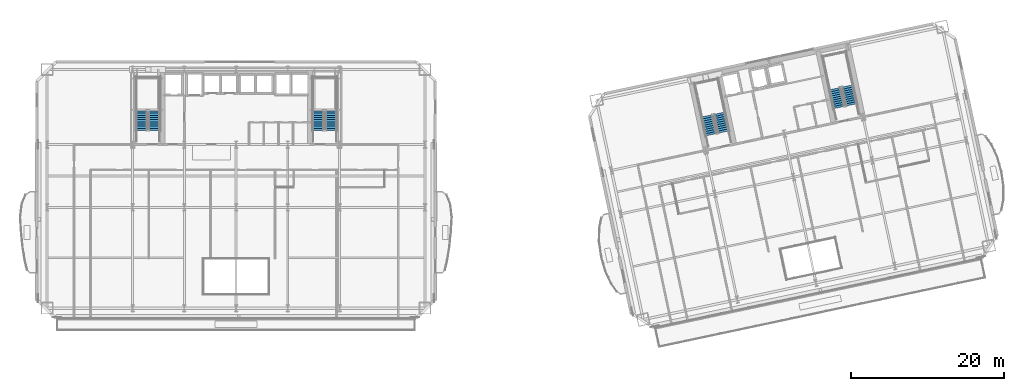
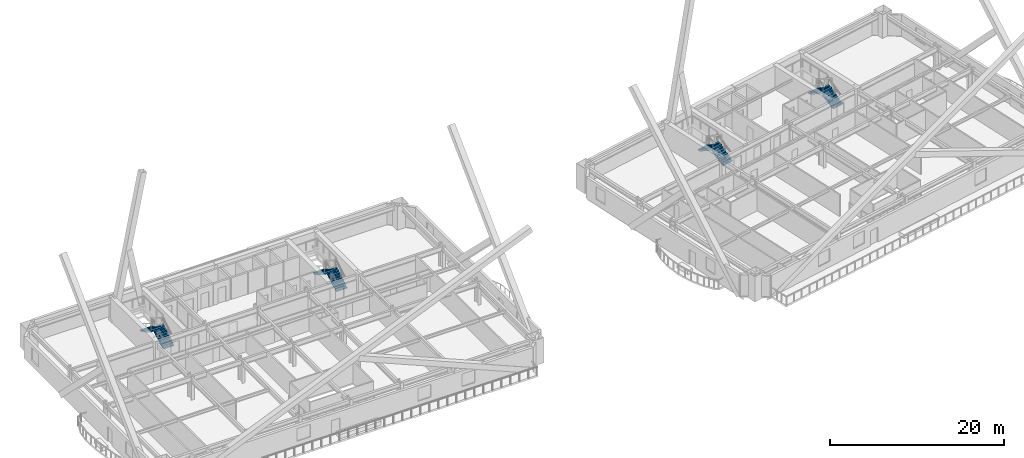
# One storey, part 16 of 25: 8 stair flights, 4 elements without a shape of their own.
"""IFC4 building model written with IfcOpenShell, lengths in metres."""

from ifc_helpers import new_model, si_unit, direction, frame, origin, place, context, subcontext, project, spatial, polyline, outline, extrude, material, type_object, element, aggregate, save


model = new_model("IFC4")

# Units and contexts
model_context = context("Model", 3, precision=1e-05, world=origin(), true_north=direction((0.0, 1.0)))
body_context = subcontext(model_context, "Body", "Model", "MODEL_VIEW")
ifc_project = project(units=[si_unit("LENGTHUNIT", "METRE"), si_unit("AREAUNIT", "SQUARE_METRE"), si_unit("VOLUMEUNIT", "CUBIC_METRE"), si_unit("PLANEANGLEUNIT", "RADIAN"), si_unit("MASSUNIT", "GRAM", prefix="KILO")], contexts=[model_context])

# Site, building, storey
site_placement = place(None, origin())
site = spatial("IfcSite", under=ifc_project, at=site_placement, CompositionType="ELEMENT")
building_placement = place(site_placement, origin())
building = spatial("IfcBuilding", under=site, at=building_placement, Name="Haevon Station Towers", CompositionType="ELEMENT")
storey_placement = place(building_placement, frame((0.0, 0.0, 50.39990234375)))
storey = spatial("IfcBuildingStorey", under=building, at=storey_placement, Name="L12", CompositionType="ELEMENT", Elevation=50.39990234375)

# Stair, stair flights
ifc_material = material(Name="Concrete C40/50", Category="concrete")
stair_type = type_object("IfcStairType", Name="STR-DL1450", PredefinedType="USERDEFINED", material=ifc_material)
stair_1_placement = place(storey_placement, origin())
stair_1 = element("IfcStair", 1, at=stair_1_placement, inside=storey, type_object=stair_type, Name="L12 Escape Stair ST1", ObjectType="TWO_RETURN_STAIR", PredefinedType="USERDEFINED")
stair_flight_type = type_object("IfcStairFlightType", Name="STF-ST1450", PredefinedType="STRAIGHT", material=ifc_material)
stair_flight_1_placement = place(storey_placement, frame((26.85498046875, 40.050048828125, 0.0), z_axis=(0.0, 0.0, 1.0), x_axis=(0.0, 1.0, 0.0)))
stair_flight_1 = element("IfcStairFlight", 2, at=stair_flight_1_placement, type_object=stair_flight_type, Name="L12 ST1 Flight 1", NumberOfRisers=10, NumberOfTreads=9, PredefinedType="STRAIGHT", RiserHeight=0.165, TreadLength=0.28, context=body_context, shape_type="SweptSolid", body=[
    extrude(outline(polyline([(0.0, 0.0), (0.0, 0.1650390625), (0.280029296875, 0.1650390625), (0.280029296875, 0.330078125), (0.56005859375, 0.330078125), (0.56005859375, 0.4951171875), (0.840087890625, 0.4951171875), (0.840087890625, 0.659912109375), (1.1201171875, 0.659912109375), (1.1201171875, 0.824951171875), (1.39990234375, 0.824951171875), (1.39990234375, 0.989990234375), (1.679931640625, 0.989990234375), (1.679931640625, 1.155029296875), (1.9599609375, 1.155029296875), (1.9599609375, 1.320068359375), (2.239990234375, 1.320068359375), (2.239990234375, 1.485107421875), (2.52001953125, 1.485107421875), (2.52001953125, 1.64990234375), (2.52001953125, 1.29931640625), (0.31494140625, 0.0), (0.0, 0.0)])), frame((0.0, 0.72509765625, 0.0), z_axis=(0.0, -1.0, 0.0), x_axis=(1.0, 0.0, 0.0)), (0.0, 0.0, 1.0), 1.449951171875),
])
stair_flight_2_placement = place(storey_placement, frame((25.205078125, 42.570068359375, 1.650146484375), z_axis=(0.0, 0.0, 1.0), x_axis=(0.0, -1.0, 0.0)))
stair_flight_2 = element("IfcStairFlight", 3, at=stair_flight_2_placement, type_object=stair_flight_type, Name="L12 ST1 Flight 2", NumberOfRisers=10, NumberOfTreads=9, PredefinedType="STRAIGHT", RiserHeight=0.165, TreadLength=0.28, context=body_context, shape_type="SweptSolid", body=[
    extrude(outline(polyline([(0.0, 0.0), (0.0, 0.1650390625), (0.280029296875, 0.1650390625), (0.280029296875, 0.330078125), (0.56005859375, 0.330078125), (0.56005859375, 0.4951171875), (0.840087890625, 0.4951171875), (0.840087890625, 0.659912109375), (1.1201171875, 0.659912109375), (1.1201171875, 0.824951171875), (1.39990234375, 0.824951171875), (1.39990234375, 0.989990234375), (1.679931640625, 0.989990234375), (1.679931640625, 1.155029296875), (1.9599609375, 1.155029296875), (1.9599609375, 1.320068359375), (2.239990234375, 1.320068359375), (2.239990234375, 1.485107421875), (2.52001953125, 1.485107421875), (2.52001953125, 1.64990234375), (2.52001953125, 1.29931640625), (0.31494140625, 0.0), (0.0, 0.0)])), frame((0.0, 0.72509765625, 0.0), z_axis=(0.0, -1.0, 0.0), x_axis=(1.0, 0.0, 0.0)), (0.0, 0.0, 1.0), 1.449951171875),
])
aggregate(stair_1, [stair_flight_1, stair_flight_2])

stair_2_placement = place(storey_placement, origin())
stair_2 = element("IfcStair", 4, at=stair_2_placement, inside=storey, type_object=stair_type, Name="L12 Escape Stair ST2", ObjectType="TWO_RETURN_STAIR", PredefinedType="USERDEFINED")
stair_flight_3_placement = place(storey_placement, frame((49.89501953125, 40.050048828125, 0.0), z_axis=(0.0, 0.0, 1.0), x_axis=(0.0, 1.0, 0.0)))
stair_flight_3 = element("IfcStairFlight", 5, at=stair_flight_3_placement, type_object=stair_flight_type, Name="L12 ST2 Flight 1", NumberOfRisers=10, NumberOfTreads=9, PredefinedType="STRAIGHT", RiserHeight=0.165, TreadLength=0.28, context=body_context, shape_type="SweptSolid", body=[
    extrude(outline(polyline([(0.0, 0.0), (0.0, 0.1650390625), (0.280029296875, 0.1650390625), (0.280029296875, 0.330078125), (0.56005859375, 0.330078125), (0.56005859375, 0.4951171875), (0.840087890625, 0.4951171875), (0.840087890625, 0.659912109375), (1.1201171875, 0.659912109375), (1.1201171875, 0.824951171875), (1.39990234375, 0.824951171875), (1.39990234375, 0.989990234375), (1.679931640625, 0.989990234375), (1.679931640625, 1.155029296875), (1.9599609375, 1.155029296875), (1.9599609375, 1.320068359375), (2.239990234375, 1.320068359375), (2.239990234375, 1.485107421875), (2.52001953125, 1.485107421875), (2.52001953125, 1.64990234375), (2.52001953125, 1.29931640625), (0.31494140625, 0.0), (0.0, 0.0)])), frame((0.0, 0.72509765625, 0.0), z_axis=(0.0, -1.0, 0.0), x_axis=(1.0, 0.0, 0.0)), (0.0, 0.0, 1.0), 1.449951171875),
])
stair_flight_4_placement = place(storey_placement, frame((48.2451171875, 42.570068359375, 1.650146484375), z_axis=(0.0, 0.0, 1.0), x_axis=(0.0, -1.0, 0.0)))
stair_flight_4 = element("IfcStairFlight", 6, at=stair_flight_4_placement, type_object=stair_flight_type, Name="L12 ST2 Flight 2", NumberOfRisers=10, NumberOfTreads=9, PredefinedType="STRAIGHT", RiserHeight=0.165, TreadLength=0.28, context=body_context, shape_type="SweptSolid", body=[
    extrude(outline(polyline([(0.0, 0.0), (0.0, 0.1650390625), (0.280029296875, 0.1650390625), (0.280029296875, 0.330078125), (0.56005859375, 0.330078125), (0.56005859375, 0.4951171875), (0.840087890625, 0.4951171875), (0.840087890625, 0.659912109375), (1.1201171875, 0.659912109375), (1.1201171875, 0.824951171875), (1.39990234375, 0.824951171875), (1.39990234375, 0.989990234375), (1.679931640625, 0.989990234375), (1.679931640625, 1.155029296875), (1.9599609375, 1.155029296875), (1.9599609375, 1.320068359375), (2.239990234375, 1.320068359375), (2.239990234375, 1.485107421875), (2.52001953125, 1.485107421875), (2.52001953125, 1.64990234375), (2.52001953125, 1.29931640625), (0.31494140625, 0.0), (0.0, 0.0)])), frame((0.0, 0.72509765625, 0.0), z_axis=(0.0, -1.0, 0.0), x_axis=(1.0, 0.0, 0.0)), (0.0, 0.0, 1.0), 1.449951171875),
])
aggregate(stair_2, [stair_flight_3, stair_flight_4])

stair_3_placement = place(storey_placement, origin())
stair_3 = element("IfcStair", 7, at=stair_3_placement, inside=storey, type_object=stair_type, Name="L12 Escape Stair ST3", ObjectType="TWO_RETURN_STAIR", PredefinedType="USERDEFINED")
stair_flight_5_placement = place(storey_placement, frame((101.1015625, 39.8330078125, 0.0), z_axis=(0.0, 0.0, 1.0), x_axis=(-0.207911690818, 0.978147600734, 0.0)))
stair_flight_5 = element("IfcStairFlight", 8, at=stair_flight_5_placement, type_object=stair_flight_type, Name="L12 ST3 Flight 1", NumberOfRisers=10, NumberOfTreads=9, PredefinedType="STRAIGHT", RiserHeight=0.165, TreadLength=0.28, context=body_context, shape_type="SweptSolid", body=[
    extrude(outline(polyline([(0.0, 0.0), (0.0, 0.1650390625), (0.280029296875, 0.1650390625), (0.280029296875, 0.330078125), (0.56005859375, 0.330078125), (0.56005859375, 0.4951171875), (0.840087890625, 0.4951171875), (0.840087890625, 0.659912109375), (1.1201171875, 0.659912109375), (1.1201171875, 0.824951171875), (1.39990234375, 0.824951171875), (1.39990234375, 0.989990234375), (1.679931640625, 0.989990234375), (1.679931640625, 1.155029296875), (1.9599609375, 1.155029296875), (1.9599609375, 1.320068359375), (2.239990234375, 1.320068359375), (2.239990234375, 1.485107421875), (2.52001953125, 1.485107421875), (2.52001953125, 1.64990234375), (2.52001953125, 1.29931640625), (0.31494140625, 0.0), (0.0, 0.0)])), frame((0.0, 0.72509765625, 0.0), z_axis=(0.0, -1.0, 0.0), x_axis=(1.0, 0.0, 0.0)), (0.0, 0.0, 1.0), 1.449951171875),
])
stair_flight_6_placement = place(storey_placement, frame((98.9638671875, 41.955078125, 1.650146484375), z_axis=(0.0, 0.0, 1.0), x_axis=(0.207911690818, -0.978147600734, 0.0)))
stair_flight_6 = element("IfcStairFlight", 9, at=stair_flight_6_placement, type_object=stair_flight_type, Name="L12 ST3 Flight 2", NumberOfRisers=10, NumberOfTreads=9, PredefinedType="STRAIGHT", RiserHeight=0.165, TreadLength=0.28, context=body_context, shape_type="SweptSolid", body=[
    extrude(outline(polyline([(0.0, 0.0), (0.0, 0.1650390625), (0.280029296875, 0.1650390625), (0.280029296875, 0.330078125), (0.56005859375, 0.330078125), (0.56005859375, 0.4951171875), (0.840087890625, 0.4951171875), (0.840087890625, 0.659912109375), (1.1201171875, 0.659912109375), (1.1201171875, 0.824951171875), (1.39990234375, 0.824951171875), (1.39990234375, 0.989990234375), (1.679931640625, 0.989990234375), (1.679931640625, 1.155029296875), (1.9599609375, 1.155029296875), (1.9599609375, 1.320068359375), (2.239990234375, 1.320068359375), (2.239990234375, 1.485107421875), (2.52001953125, 1.485107421875), (2.52001953125, 1.64990234375), (2.52001953125, 1.29931640625), (0.31494140625, 0.0), (0.0, 0.0)])), frame((0.0, 0.72509765625, 0.0), z_axis=(0.0, -1.0, 0.0), x_axis=(1.0, 0.0, 0.0)), (0.0, 0.0, 1.0), 1.449951171875),
])
aggregate(stair_3, [stair_flight_5, stair_flight_6])

stair_4_placement = place(storey_placement, origin())
stair_4 = element("IfcStair", 10, at=stair_4_placement, inside=storey, type_object=stair_type, Name="L12 Escape Stair ST4", ObjectType="TWO_RETURN_STAIR", PredefinedType="USERDEFINED")
stair_flight_7_placement = place(storey_placement, frame((117.788818359375, 43.380126953125, 0.0), z_axis=(0.0, 0.0, 1.0), x_axis=(-0.207911690818, 0.978147600734, 0.0)))
stair_flight_7 = element("IfcStairFlight", 11, at=stair_flight_7_placement, type_object=stair_flight_type, Name="L12 ST4 Flight 1", NumberOfRisers=10, NumberOfTreads=9, PredefinedType="STRAIGHT", RiserHeight=0.165, TreadLength=0.28, context=body_context, shape_type="SweptSolid", body=[
    extrude(outline(polyline([(0.0, 0.0), (0.0, 0.1650390625), (0.280029296875, 0.1650390625), (0.280029296875, 0.330078125), (0.56005859375, 0.330078125), (0.56005859375, 0.4951171875), (0.840087890625, 0.4951171875), (0.840087890625, 0.659912109375), (1.1201171875, 0.659912109375), (1.1201171875, 0.824951171875), (1.39990234375, 0.824951171875), (1.39990234375, 0.989990234375), (1.679931640625, 0.989990234375), (1.679931640625, 1.155029296875), (1.9599609375, 1.155029296875), (1.9599609375, 1.320068359375), (2.239990234375, 1.320068359375), (2.239990234375, 1.485107421875), (2.52001953125, 1.485107421875), (2.52001953125, 1.64990234375), (2.52001953125, 1.29931640625), (0.31494140625, 0.0), (0.0, 0.0)])), frame((0.0, 0.72509765625, 0.0), z_axis=(0.0, -1.0, 0.0), x_axis=(1.0, 0.0, 0.0)), (0.0, 0.0, 1.0), 1.449951171875),
])
stair_flight_8_placement = place(storey_placement, frame((115.65087890625, 45.501953125, 1.650146484375), z_axis=(0.0, 0.0, 1.0), x_axis=(0.207911690818, -0.978147600734, 0.0)))
stair_flight_8 = element("IfcStairFlight", 12, at=stair_flight_8_placement, type_object=stair_flight_type, Name="L12 ST4 Flight 2", NumberOfRisers=10, NumberOfTreads=9, PredefinedType="STRAIGHT", RiserHeight=0.165, TreadLength=0.28, context=body_context, shape_type="SweptSolid", body=[
    extrude(outline(polyline([(0.0, 0.0), (0.0, 0.1650390625), (0.280029296875, 0.1650390625), (0.280029296875, 0.330078125), (0.56005859375, 0.330078125), (0.56005859375, 0.4951171875), (0.840087890625, 0.4951171875), (0.840087890625, 0.659912109375), (1.1201171875, 0.659912109375), (1.1201171875, 0.824951171875), (1.39990234375, 0.824951171875), (1.39990234375, 0.989990234375), (1.679931640625, 0.989990234375), (1.679931640625, 1.155029296875), (1.9599609375, 1.155029296875), (1.9599609375, 1.320068359375), (2.239990234375, 1.320068359375), (2.239990234375, 1.485107421875), (2.52001953125, 1.485107421875), (2.52001953125, 1.64990234375), (2.52001953125, 1.29931640625), (0.31494140625, 0.0), (0.0, 0.0)])), frame((0.0, 0.72509765625, 0.0), z_axis=(0.0, -1.0, 0.0), x_axis=(1.0, 0.0, 0.0)), (0.0, 0.0, 1.0), 1.449951171875),
])
aggregate(stair_4, [stair_flight_7, stair_flight_8])

save(model, "model.ifc")
